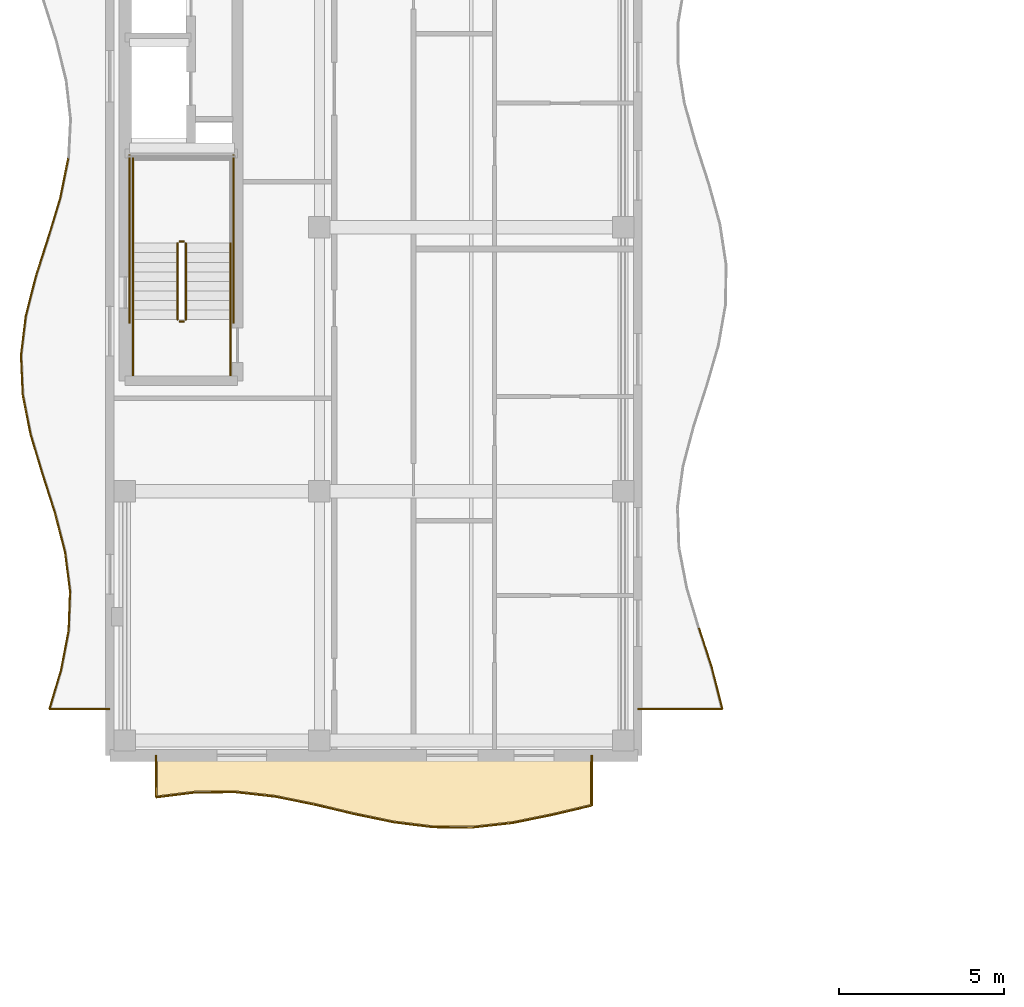
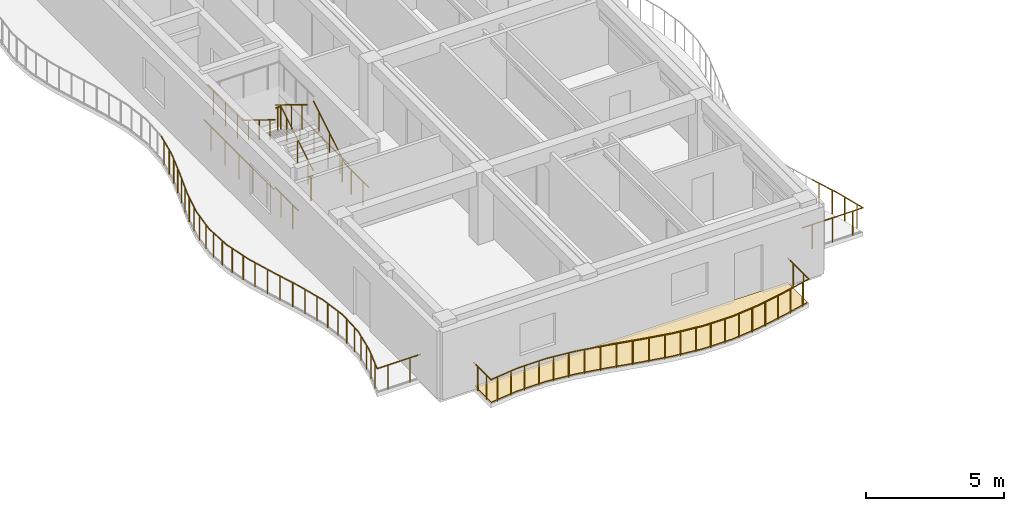
# One storey, part 65 of 89: 42 railings, 1 covering.
"""IFC4 building model written with IfcOpenShell, lengths in metres."""

from ifc_helpers import new_model, si_unit, direction, frame, origin, origin_2d, place, context, subcontext, project, spatial, polyline, circle, outline, extrude, material, layer, layer_set, type_object, element, save


model = new_model("IFC4")

# Units and contexts
model_context = context("Model", 3, precision=1e-05, world=origin(), true_north=direction((0.0, 1.0)))
body_context = subcontext(model_context, "Body", "Model", "MODEL_VIEW")
ifc_project = project(units=[si_unit("LENGTHUNIT", "METRE"), si_unit("AREAUNIT", "SQUARE_METRE"), si_unit("VOLUMEUNIT", "CUBIC_METRE"), si_unit("PLANEANGLEUNIT", "RADIAN"), si_unit("MASSUNIT", "GRAM", prefix="KILO")], contexts=[model_context])

# Site, building, storey
site_placement = place(None, origin())
site = spatial("IfcSite", under=ifc_project, at=site_placement, CompositionType="ELEMENT")
building_placement = place(site_placement, origin())
building = spatial("IfcBuilding", under=site, at=building_placement, Name="Keldmere Railside Commons", CompositionType="ELEMENT")
storey_placement = place(building_placement, frame((0.0, 0.0, 7.360107421875)))
storey = spatial("IfcBuildingStorey", under=building, at=storey_placement, Name="L02", CompositionType="ELEMENT", Elevation=7.360107421875)

# Railings
ifc_material_1 = material(Name="Steel F-24 (S235)", Category="steel")
railing_type_1 = type_object("IfcRailingType", Name="Balcony & Terrace Steel Balustrade 1100", PredefinedType="BALUSTRADE", material=ifc_material_1)
railing_1_placement = place(storey_placement, frame((24.0, 57.39990234375, 0.0)))
element("IfcRailing", 1, at=railing_1_placement, inside=storey, type_object=railing_type_1, Name="GR-1 GRD-L02-0153", PredefinedType="BALUSTRADE", context=body_context, shape_type="SweptSolid", body=[
    extrude(circle(Radius=0.02392578125, at=origin_2d()), frame((0.0, 0.0, 1.076171875), z_axis=(1.0, 0.0, 0.0), x_axis=(0.0, 1.0, 0.0)), (0.0, 0.0, 1.0), 2.556396484375),
    extrude(circle(Radius=0.02099609375, at=origin_2d()), frame((0.426025390625, 0.0, 0.0)), (0.0, 0.0, 1.0), 1.048095703125),
    extrude(circle(Radius=0.02099609375, at=origin_2d()), frame((1.2783203125, 0.0, 0.0)), (0.0, 0.0, 1.0), 1.048095703125),
    extrude(circle(Radius=0.02099609375, at=origin_2d()), frame((2.13037109375, 0.0, 0.0)), (0.0, 0.0, 1.0), 1.048095703125),
])
railing_2_placement = place(storey_placement, frame((26.556396484375, 57.39990234375, 0.0)))
element("IfcRailing", 2, at=railing_2_placement, inside=storey, type_object=railing_type_1, Name="GR-1 GRD-L02-0154", PredefinedType="BALUSTRADE", context=body_context, shape_type="SweptSolid", body=[
    extrude(circle(Radius=0.02392578125, at=origin_2d()), frame((0.0, 0.0, 1.076171875), z_axis=(-0.244808120683, 0.969571546637, 0.0), x_axis=(-0.969571546637, -0.244808120683, 0.0)), (0.0, 0.0, 1.0), 1.263427734375),
    extrude(circle(Radius=0.02099609375, at=origin_2d()), frame((-0.077392578125, 0.30615234375, 0.0)), (0.0, 0.0, 1.0), 1.048095703125),
    extrude(circle(Radius=0.02099609375, at=origin_2d()), frame((-0.23193359375, 0.9189453125, 0.0)), (0.0, 0.0, 1.0), 1.048095703125),
])
railing_3_placement = place(storey_placement, frame((26.2470703125, 58.625, 0.0)))
element("IfcRailing", 3, at=railing_3_placement, inside=storey, type_object=railing_type_1, Name="GR-1 GRD-L02-0155", PredefinedType="BALUSTRADE", context=body_context, shape_type="SweptSolid", body=[
    extrude(circle(Radius=0.02392578125, at=origin_2d()), frame((0.0, 0.0, 1.076171875), z_axis=(-0.304989196432, 0.95235581064, 0.0), x_axis=(-0.95235581064, -0.304989196432, 0.0)), (0.0, 0.0, 1.0), 1.286376953125),
    extrude(circle(Radius=0.02099609375, at=origin_2d()), frame((-0.09814453125, 0.30615234375, 0.0)), (0.0, 0.0, 1.0), 1.048095703125),
    extrude(circle(Radius=0.02099609375, at=origin_2d()), frame((-0.294189453125, 0.9189453125, 0.0)), (0.0, 0.0, 1.0), 1.048095703125),
])
railing_4_placement = place(storey_placement, frame((8.0, 57.39990234375, 0.0)))
element("IfcRailing", 4, at=railing_4_placement, inside=storey, type_object=railing_type_1, Name="GR-1 GRD-L02-0179", PredefinedType="BALUSTRADE", context=body_context, shape_type="SweptSolid", body=[
    extrude(circle(Radius=0.02392578125, at=origin_2d()), frame((0.0, 0.0, 1.076171875), z_axis=(-1.0, 0.0, 0.0), x_axis=(0.0, -1.0, 0.0)), (0.0, 0.0, 1.0), 1.831787109375),
    extrude(circle(Radius=0.02099609375, at=origin_2d()), frame((-0.4580078125, 0.0, 0.0)), (0.0, 0.0, 1.0), 1.048095703125),
    extrude(circle(Radius=0.02099609375, at=origin_2d()), frame((-1.373779296875, 0.0, 0.0)), (0.0, 0.0, 1.0), 1.048095703125),
])
railing_5_placement = place(storey_placement, frame((6.168212890625, 57.39990234375, 0.0)))
element("IfcRailing", 5, at=railing_5_placement, inside=storey, type_object=railing_type_1, Name="GR-1 GRD-L02-0180", PredefinedType="BALUSTRADE", context=body_context, shape_type="SweptSolid", body=[
    extrude(circle(Radius=0.02392578125, at=origin_2d()), frame((0.0, 0.0, 1.076171875), z_axis=(0.283633529769, 0.958932750922, 0.0), x_axis=(-0.958932750922, 0.283633529769, 0.0)), (0.0, 0.0, 1.0), 1.242919921875),
    extrude(circle(Radius=0.02099609375, at=origin_2d()), frame((0.088134765625, 0.2978515625, 0.0)), (0.0, 0.0, 1.0), 1.048095703125),
    extrude(circle(Radius=0.02099609375, at=origin_2d()), frame((0.264404296875, 0.89404296875, 0.0)), (0.0, 0.0, 1.0), 1.048095703125),
])
railing_6_placement = place(storey_placement, frame((6.520751953125, 58.591796875, 0.0)))
element("IfcRailing", 6, at=railing_6_placement, inside=storey, type_object=railing_type_1, Name="GR-1 GRD-L02-0181", PredefinedType="BALUSTRADE", context=body_context, shape_type="SweptSolid", body=[
    extrude(circle(Radius=0.02392578125, at=origin_2d()), frame((0.0, 0.0, 1.076171875), z_axis=(0.187787229387, 0.982209731411, 0.0), x_axis=(-0.982209731411, 0.187787229387, 0.0)), (0.0, 0.0, 1.0), 1.212890625),
    extrude(circle(Radius=0.02099609375, at=origin_2d()), frame((0.056884765625, 0.2978515625, 0.0)), (0.0, 0.0, 1.0), 1.048095703125),
    extrude(circle(Radius=0.02099609375, at=origin_2d()), frame((0.1708984375, 0.8935546875, 0.0)), (0.0, 0.0, 1.0), 1.048095703125),
])
railing_7_placement = place(storey_placement, frame((6.74853515625, 59.783203125, 0.0)))
element("IfcRailing", 7, at=railing_7_placement, inside=storey, type_object=railing_type_1, Name="GR-1 GRD-L02-0182", PredefinedType="BALUSTRADE", context=body_context, shape_type="SweptSolid", body=[
    extrude(circle(Radius=0.02392578125, at=origin_2d()), frame((0.0, 0.0, 1.076171875), z_axis=(0.036436256511, 0.999335979144, 0.0), x_axis=(-0.999335979144, 0.036436256511, 0.0)), (0.0, 0.0, 1.0), 1.192626953125),
    extrude(circle(Radius=0.02099609375, at=origin_2d()), frame((0.0107421875, 0.2978515625, 0.0)), (0.0, 0.0, 1.0), 1.048095703125),
    extrude(circle(Radius=0.02099609375, at=origin_2d()), frame((0.03271484375, 0.89404296875, 0.0)), (0.0, 0.0, 1.0), 1.048095703125),
])
railing_8_placement = place(storey_placement, frame((6.7919921875, 60.97509765625, 0.0)))
element("IfcRailing", 8, at=railing_8_placement, inside=storey, type_object=railing_type_1, Name="GR-1 GRD-L02-0183", PredefinedType="BALUSTRADE", context=body_context, shape_type="SweptSolid", body=[
    extrude(circle(Radius=0.02392578125, at=origin_2d()), frame((0.0, 0.0, 1.076171875), z_axis=(-0.12741036786, 0.991850088553, 0.0), x_axis=(-0.991850088553, -0.12741036786, 0.0)), (0.0, 0.0, 1.0), 1.201416015625),
    extrude(circle(Radius=0.02099609375, at=origin_2d()), frame((-0.038330078125, 0.2978515625, 0.0)), (0.0, 0.0, 1.0), 1.048095703125),
    extrude(circle(Radius=0.02099609375, at=origin_2d()), frame((-0.11474609375, 0.893798828125, 0.0)), (0.0, 0.0, 1.0), 1.048095703125),
])
railing_9_placement = place(storey_placement, frame((6.638916015625, 62.166748046875, 0.0)))
element("IfcRailing", 9, at=railing_9_placement, inside=storey, type_object=railing_type_1, Name="GR-1 GRD-L02-0184", PredefinedType="BALUSTRADE", context=body_context, shape_type="SweptSolid", body=[
    extrude(circle(Radius=0.02392578125, at=origin_2d()), frame((0.0, 0.0, 1.076171875), z_axis=(-0.250507827676, 0.968114573939, 0.0), x_axis=(-0.968114573939, -0.250507827676, 0.0)), (0.0, 0.0, 1.0), 1.23095703125),
    extrude(circle(Radius=0.02099609375, at=origin_2d()), frame((-0.0771484375, 0.2978515625, 0.0)), (0.0, 0.0, 1.0), 1.048095703125),
    extrude(circle(Radius=0.02099609375, at=origin_2d()), frame((-0.231201171875, 0.893798828125, 0.0)), (0.0, 0.0, 1.0), 1.048095703125),
])
railing_10_placement = place(storey_placement, frame((6.33056640625, 63.3583984375, 0.0)))
element("IfcRailing", 10, at=railing_10_placement, inside=storey, type_object=railing_type_1, Name="GR-1 GRD-L02-0185", PredefinedType="BALUSTRADE", context=body_context, shape_type="SweptSolid", body=[
    extrude(circle(Radius=0.02392578125, at=origin_2d()), frame((0.0, 0.0, 1.076171875), z_axis=(-0.305674498271, 0.952136072789, 0.0), x_axis=(-0.952136072789, -0.305674498271, 0.0)), (0.0, 0.0, 1.0), 1.25146484375),
    extrude(circle(Radius=0.02099609375, at=origin_2d()), frame((-0.095703125, 0.2978515625, 0.0)), (0.0, 0.0, 1.0), 1.048095703125),
    extrude(circle(Radius=0.02099609375, at=origin_2d()), frame((-0.286865234375, 0.893798828125, 0.0)), (0.0, 0.0, 1.0), 1.048095703125),
])
railing_11_placement = place(storey_placement, frame((5.947998046875, 64.550048828125, 0.0)))
element("IfcRailing", 11, at=railing_11_placement, inside=storey, type_object=railing_type_1, Name="GR-1 GRD-L02-0186", PredefinedType="BALUSTRADE", context=body_context, shape_type="SweptSolid", body=[
    extrude(circle(Radius=0.02392578125, at=origin_2d()), frame((0.0, 0.0, 1.076171875), z_axis=(-0.286032836023, 0.958219816491, 0.0), x_axis=(-0.958219816491, -0.286032836023, 0.0)), (0.0, 0.0, 1.0), 1.24365234375),
    extrude(circle(Radius=0.02099609375, at=origin_2d()), frame((-0.0888671875, 0.2978515625, 0.0)), (0.0, 0.0, 1.0), 1.048095703125),
    extrude(circle(Radius=0.02099609375, at=origin_2d()), frame((-0.266845703125, 0.893798828125, 0.0)), (0.0, 0.0, 1.0), 1.048095703125),
])
railing_12_placement = place(storey_placement, frame((5.59228515625, 65.74169921875, 0.0)))
element("IfcRailing", 12, at=railing_12_placement, inside=storey, type_object=railing_type_1, Name="GR-1 GRD-L02-0187", PredefinedType="BALUSTRADE", context=body_context, shape_type="SweptSolid", body=[
    extrude(circle(Radius=0.02392578125, at=origin_2d()), frame((0.0, 0.0, 1.076171875), z_axis=(-0.193370818722, 0.981125744473, 0.0), x_axis=(-0.981125744473, -0.193370818722, 0.0)), (0.0, 0.0, 1.0), 1.214599609375),
    extrude(circle(Radius=0.02099609375, at=origin_2d()), frame((-0.05859375, 0.2978515625, 0.0)), (0.0, 0.0, 1.0), 1.048095703125),
    extrude(circle(Radius=0.02099609375, at=origin_2d()), frame((-0.17626953125, 0.893798828125, 0.0)), (0.0, 0.0, 1.0), 1.048095703125),
])
railing_13_placement = place(storey_placement, frame((5.357421875, 66.933349609375, 0.0)))
element("IfcRailing", 13, at=railing_13_placement, inside=storey, type_object=railing_type_1, Name="GR-1 GRD-L02-0188", PredefinedType="BALUSTRADE", context=body_context, shape_type="SweptSolid", body=[
    extrude(circle(Radius=0.02392578125, at=origin_2d()), frame((0.0, 0.0, 1.076171875), z_axis=(-0.043188511481, 0.999066940938, 0.0), x_axis=(-0.999066940938, -0.043188511481, 0.0)), (0.0, 0.0, 1.0), 1.19287109375),
    extrude(circle(Radius=0.02099609375, at=origin_2d()), frame((-0.012939453125, 0.2978515625, 0.0)), (0.0, 0.0, 1.0), 1.048095703125),
    extrude(circle(Radius=0.02099609375, at=origin_2d()), frame((-0.03857421875, 0.893798828125, 0.0)), (0.0, 0.0, 1.0), 1.048095703125),
])
railing_14_placement = place(storey_placement, frame((5.305908203125, 68.125, 0.0)))
element("IfcRailing", 14, at=railing_14_placement, inside=storey, type_object=railing_type_1, Name="GR-1 GRD-L02-0189", PredefinedType="BALUSTRADE", context=body_context, shape_type="SweptSolid", body=[
    extrude(circle(Radius=0.02392578125, at=origin_2d()), frame((0.0, 0.0, 1.076171875), z_axis=(0.120805099305, 0.992676245299, 0.0), x_axis=(-0.992676245299, 0.120805099305, 0.0)), (0.0, 0.0, 1.0), 1.200439453125),
    extrude(circle(Radius=0.02099609375, at=origin_2d()), frame((0.0361328125, 0.2978515625, 0.0)), (0.0, 0.0, 1.0), 1.048095703125),
    extrude(circle(Radius=0.02099609375, at=origin_2d()), frame((0.10888671875, 0.893798828125, 0.0)), (0.0, 0.0, 1.0), 1.048095703125),
])
railing_15_placement = place(storey_placement, frame((5.450927734375, 69.316650390625, 0.0)))
element("IfcRailing", 15, at=railing_15_placement, inside=storey, type_object=railing_type_1, Name="GR-1 GRD-L02-0190", PredefinedType="BALUSTRADE", context=body_context, shape_type="SweptSolid", body=[
    extrude(circle(Radius=0.02392578125, at=origin_2d()), frame((0.0, 0.0, 1.076171875), z_axis=(0.246784373732, 0.969070416885, 0.0), x_axis=(-0.969070416885, 0.246784373732, 0.0)), (0.0, 0.0, 1.0), 1.229736328125),
    extrude(circle(Radius=0.02099609375, at=origin_2d()), frame((0.075927734375, 0.2978515625, 0.0)), (0.0, 0.0, 1.0), 1.048095703125),
    extrude(circle(Radius=0.02099609375, at=origin_2d()), frame((0.2275390625, 0.893798828125, 0.0)), (0.0, 0.0, 1.0), 1.048095703125),
])
railing_16_placement = place(storey_placement, frame((5.75439453125, 70.50830078125, 0.0)))
element("IfcRailing", 16, at=railing_16_placement, inside=storey, type_object=railing_type_1, Name="GR-1 GRD-L02-0191", PredefinedType="BALUSTRADE", context=body_context, shape_type="SweptSolid", body=[
    extrude(circle(Radius=0.02392578125, at=origin_2d()), frame((0.0, 0.0, 1.076171875), z_axis=(0.304966872698, 0.952362959463, 0.0), x_axis=(-0.952362959463, 0.304966872698, 0.0)), (0.0, 0.0, 1.0), 1.251220703125),
    extrude(circle(Radius=0.02099609375, at=origin_2d()), frame((0.095458984375, 0.2978515625, 0.0)), (0.0, 0.0, 1.0), 1.048095703125),
    extrude(circle(Radius=0.02099609375, at=origin_2d()), frame((0.2861328125, 0.893798828125, 0.0)), (0.0, 0.0, 1.0), 1.048095703125),
])
railing_17_placement = place(storey_placement, frame((6.135986328125, 71.699951171875, 0.0)))
element("IfcRailing", 17, at=railing_17_placement, inside=storey, type_object=railing_type_1, Name="GR-1 GRD-L02-0192", PredefinedType="BALUSTRADE", context=body_context, shape_type="SweptSolid", body=[
    extrude(circle(Radius=0.02392578125, at=origin_2d()), frame((0.0, 0.0, 1.076171875), z_axis=(0.288193702769, 0.957572132888, 0.0), x_axis=(-0.957572132888, 0.288193702769, 0.0)), (0.0, 0.0, 1.0), 1.244384765625),
    extrude(circle(Radius=0.02099609375, at=origin_2d()), frame((0.089599609375, 0.2978515625, 0.0)), (0.0, 0.0, 1.0), 1.048095703125),
    extrude(circle(Radius=0.02099609375, at=origin_2d()), frame((0.26904296875, 0.893798828125, 0.0)), (0.0, 0.0, 1.0), 1.048095703125),
])
railing_18_placement = place(storey_placement, frame((6.49462890625, 72.8916015625, 0.0)))
element("IfcRailing", 18, at=railing_18_placement, inside=storey, type_object=railing_type_1, Name="GR-1 GRD-L02-0193", PredefinedType="BALUSTRADE", context=body_context, shape_type="SweptSolid", body=[
    extrude(circle(Radius=0.02392578125, at=origin_2d()), frame((0.0, 0.0, 1.076171875), z_axis=(0.198586842685, 0.980083295395, 0.0), x_axis=(-0.980083295395, 0.198586842685, 0.0)), (0.0, 0.0, 1.0), 1.2158203125),
    extrude(circle(Radius=0.02099609375, at=origin_2d()), frame((0.060302734375, 0.2978515625, 0.0)), (0.0, 0.0, 1.0), 1.048095703125),
    extrude(circle(Radius=0.02099609375, at=origin_2d()), frame((0.18115234375, 0.893798828125, 0.0)), (0.0, 0.0, 1.0), 1.048095703125),
])
railing_19_placement = place(storey_placement, frame((9.39990234375, 56.0, 0.0)))
element("IfcRailing", 19, at=railing_19_placement, inside=storey, type_object=railing_type_1, Name="GR-1 GRD-L02-0242", PredefinedType="BALUSTRADE", context=body_context, shape_type="SweptSolid", body=[
    extrude(circle(Radius=0.02392578125, at=origin_2d()), frame((0.0, 0.0, 1.076171875), z_axis=(0.0, -1.0, 0.0), x_axis=(1.0, 0.0, 0.0)), (0.0, 0.0, 1.0), 1.271728515625),
    extrude(circle(Radius=0.02099609375, at=origin_2d()), frame((0.0, -0.31787109375, 0.0)), (0.0, 0.0, 1.0), 1.048095703125),
    extrude(circle(Radius=0.02099609375, at=origin_2d()), frame((0.0, -0.953857421875, 0.0)), (0.0, 0.0, 1.0), 1.048095703125),
])
railing_20_placement = place(storey_placement, frame((9.39990234375, 54.728271484375, 0.0)))
element("IfcRailing", 20, at=railing_20_placement, inside=storey, type_object=railing_type_1, Name="GR-1 GRD-L02-0243", PredefinedType="BALUSTRADE", context=body_context, shape_type="SweptSolid", body=[
    extrude(circle(Radius=0.02392578125, at=origin_2d()), frame((0.0, 0.0, 1.076171875), z_axis=(0.992389278105, 0.123140248097, 0.0), x_axis=(-0.123140248097, 0.992389278105, 0.0)), (0.0, 0.0, 1.0), 1.20947265625),
    extrude(circle(Radius=0.02099609375, at=origin_2d()), frame((0.300048828125, 0.037109375, 0.0)), (0.0, 0.0, 1.0), 1.048095703125),
    extrude(circle(Radius=0.02099609375, at=origin_2d()), frame((0.900146484375, 0.11181640625, 0.0)), (0.0, 0.0, 1.0), 1.048095703125),
])
railing_21_placement = place(storey_placement, frame((10.60009765625, 54.877197265625, 0.0)))
element("IfcRailing", 21, at=railing_21_placement, inside=storey, type_object=railing_type_1, Name="GR-1 GRD-L02-0244", PredefinedType="BALUSTRADE", context=body_context, shape_type="SweptSolid", body=[
    extrude(circle(Radius=0.02392578125, at=origin_2d()), frame((0.0, 0.0, 1.076171875), z_axis=(0.999978806186, 0.006510543601, 0.0), x_axis=(-0.006510543601, 0.999978806186, 0.0)), (0.0, 0.0, 1.0), 1.199951171875),
    extrude(circle(Radius=0.02099609375, at=origin_2d()), frame((0.300048828125, 0.001953125, 0.0)), (0.0, 0.0, 1.0), 1.048095703125),
    extrude(circle(Radius=0.02099609375, at=origin_2d()), frame((0.89990234375, 0.005859375, 0.0)), (0.0, 0.0, 1.0), 1.048095703125),
])
railing_22_placement = place(storey_placement, frame((11.800048828125, 54.885009765625, 0.0)))
element("IfcRailing", 22, at=railing_22_placement, inside=storey, type_object=railing_type_1, Name="GR-1 GRD-L02-0245", PredefinedType="BALUSTRADE", context=body_context, shape_type="SweptSolid", body=[
    extrude(circle(Radius=0.02392578125, at=origin_2d()), frame((0.0, 0.0, 1.076171875), z_axis=(0.99366234495, -0.112406157435, 0.0), x_axis=(0.112406157435, 0.99366234495, 0.0)), (0.0, 0.0, 1.0), 1.20751953125),
    extrude(circle(Radius=0.02099609375, at=origin_2d()), frame((0.300048828125, -0.033935546875, 0.0)), (0.0, 0.0, 1.0), 1.048095703125),
    extrude(circle(Radius=0.02099609375, at=origin_2d()), frame((0.89990234375, -0.101806640625, 0.0)), (0.0, 0.0, 1.0), 1.048095703125),
])
railing_23_placement = place(storey_placement, frame((13.0, 54.749267578125, 0.0)))
element("IfcRailing", 23, at=railing_23_placement, inside=storey, type_object=railing_type_1, Name="GR-1 GRD-L02-0246", PredefinedType="BALUSTRADE", context=body_context, shape_type="SweptSolid", body=[
    extrude(circle(Radius=0.02392578125, at=origin_2d()), frame((0.0, 0.0, 1.076171875), z_axis=(0.980156554012, -0.198224947037, 0.0), x_axis=(0.198224947037, 0.980156554012, 0.0)), (0.0, 0.0, 1.0), 1.224365234375),
    extrude(circle(Radius=0.02099609375, at=origin_2d()), frame((0.300048828125, -0.060546875, 0.0)), (0.0, 0.0, 1.0), 1.048095703125),
    extrude(circle(Radius=0.02099609375, at=origin_2d()), frame((0.89990234375, -0.18212890625, 0.0)), (0.0, 0.0, 1.0), 1.048095703125),
])
railing_24_placement = place(storey_placement, frame((14.199951171875, 54.506591796875, 0.0)))
element("IfcRailing", 24, at=railing_24_placement, inside=storey, type_object=railing_type_1, Name="GR-1 GRD-L02-0247", PredefinedType="BALUSTRADE", context=body_context, shape_type="SweptSolid", body=[
    extrude(circle(Radius=0.02392578125, at=origin_2d()), frame((0.0, 0.0, 1.076171875), z_axis=(0.97299493391, -0.230826468553, 0.0), x_axis=(0.230826468553, 0.97299493391, 0.0)), (0.0, 0.0, 1.0), 1.233154296875),
    extrude(circle(Radius=0.02099609375, at=origin_2d()), frame((0.300048828125, -0.0712890625, 0.0)), (0.0, 0.0, 1.0), 1.048095703125),
    extrude(circle(Radius=0.02099609375, at=origin_2d()), frame((0.89990234375, -0.21337890625, 0.0)), (0.0, 0.0, 1.0), 1.048095703125),
])
railing_25_placement = place(storey_placement, frame((15.39990234375, 54.221923828125, 0.0)))
element("IfcRailing", 25, at=railing_25_placement, inside=storey, type_object=railing_type_1, Name="GR-1 GRD-L02-0248", PredefinedType="BALUSTRADE", context=body_context, shape_type="SweptSolid", body=[
    extrude(circle(Radius=0.02392578125, at=origin_2d()), frame((0.0, 0.0, 1.076171875), z_axis=(0.978947272888, -0.204113294286, 0.0), x_axis=(0.204113294286, 0.978947272888, 0.0)), (0.0, 0.0, 1.0), 1.22607421875),
    extrude(circle(Radius=0.02099609375, at=origin_2d()), frame((0.300048828125, -0.0625, 0.0)), (0.0, 0.0, 1.0), 1.048095703125),
    extrude(circle(Radius=0.02099609375, at=origin_2d()), frame((0.900146484375, -0.187744140625, 0.0)), (0.0, 0.0, 1.0), 1.048095703125),
])
railing_26_placement = place(storey_placement, frame((16.60009765625, 53.9716796875, 0.0)))
element("IfcRailing", 26, at=railing_26_placement, inside=storey, type_object=railing_type_1, Name="GR-1 GRD-L02-0249", PredefinedType="BALUSTRADE", context=body_context, shape_type="SweptSolid", body=[
    extrude(circle(Radius=0.02392578125, at=origin_2d()), frame((0.0, 0.0, 1.076171875), z_axis=(0.992386216137, -0.123164922043, 0.0), x_axis=(0.123164922043, 0.992386216137, 0.0)), (0.0, 0.0, 1.0), 1.209228515625),
    extrude(circle(Radius=0.02099609375, at=origin_2d()), frame((0.300048828125, -0.037109375, 0.0)), (0.0, 0.0, 1.0), 1.048095703125),
    extrude(circle(Radius=0.02099609375, at=origin_2d()), frame((0.89990234375, -0.11181640625, 0.0)), (0.0, 0.0, 1.0), 1.048095703125),
])
railing_27_placement = place(storey_placement, frame((17.800048828125, 53.82275390625, 0.0)))
element("IfcRailing", 27, at=railing_27_placement, inside=storey, type_object=railing_type_1, Name="GR-1 GRD-L02-0250", PredefinedType="BALUSTRADE", context=body_context, shape_type="SweptSolid", body=[
    extrude(circle(Radius=0.02392578125, at=origin_2d()), frame((0.0, 0.0, 1.076171875), z_axis=(0.999980110064, -0.006307097337, 0.0), x_axis=(0.006307097337, 0.999980110064, 0.0)), (0.0, 0.0, 1.0), 1.199951171875),
    extrude(circle(Radius=0.02099609375, at=origin_2d()), frame((0.300048828125, -0.001953125, 0.0)), (0.0, 0.0, 1.0), 1.048095703125),
    extrude(circle(Radius=0.02099609375, at=origin_2d()), frame((0.89990234375, -0.005615234375, 0.0)), (0.0, 0.0, 1.0), 1.048095703125),
])
railing_28_placement = place(storey_placement, frame((19.0, 53.815185546875, 0.0)))
element("IfcRailing", 28, at=railing_28_placement, inside=storey, type_object=railing_type_1, Name="GR-1 GRD-L02-0251", PredefinedType="BALUSTRADE", context=body_context, shape_type="SweptSolid", body=[
    extrude(circle(Radius=0.02392578125, at=origin_2d()), frame((0.0, 0.0, 1.076171875), z_axis=(0.993684906467, 0.112206535725, 0.0), x_axis=(-0.112206535725, 0.993684906467, 0.0)), (0.0, 0.0, 1.0), 1.20751953125),
    extrude(circle(Radius=0.02099609375, at=origin_2d()), frame((0.300048828125, 0.033935546875, 0.0)), (0.0, 0.0, 1.0), 1.048095703125),
    extrude(circle(Radius=0.02099609375, at=origin_2d()), frame((0.89990234375, 0.1015625, 0.0)), (0.0, 0.0, 1.0), 1.048095703125),
])
railing_29_placement = place(storey_placement, frame((20.199951171875, 53.95068359375, 0.0)))
element("IfcRailing", 29, at=railing_29_placement, inside=storey, type_object=railing_type_1, Name="GR-1 GRD-L02-0252", PredefinedType="BALUSTRADE", context=body_context, shape_type="SweptSolid", body=[
    extrude(circle(Radius=0.02392578125, at=origin_2d()), frame((0.0, 0.0, 1.076171875), z_axis=(0.980156554012, 0.198224947037, 0.0), x_axis=(-0.198224947037, 0.980156554012, 0.0)), (0.0, 0.0, 1.0), 1.224365234375),
    extrude(circle(Radius=0.02099609375, at=origin_2d()), frame((0.300048828125, 0.060546875, 0.0)), (0.0, 0.0, 1.0), 1.048095703125),
    extrude(circle(Radius=0.02099609375, at=origin_2d()), frame((0.89990234375, 0.18212890625, 0.0)), (0.0, 0.0, 1.0), 1.048095703125),
])
railing_30_placement = place(storey_placement, frame((21.39990234375, 54.193359375, 0.0)))
element("IfcRailing", 30, at=railing_30_placement, inside=storey, type_object=railing_type_1, Name="GR-1 GRD-L02-0253", PredefinedType="BALUSTRADE", context=body_context, shape_type="SweptSolid", body=[
    extrude(circle(Radius=0.02392578125, at=origin_2d()), frame((0.0, 0.0, 1.076171875), z_axis=(0.973005478576, 0.230782015464, 0.0), x_axis=(-0.230782015464, 0.973005478576, 0.0)), (0.0, 0.0, 1.0), 1.2333984375),
    extrude(circle(Radius=0.02099609375, at=origin_2d()), frame((0.300048828125, 0.0712890625, 0.0)), (0.0, 0.0, 1.0), 1.048095703125),
    extrude(circle(Radius=0.02099609375, at=origin_2d()), frame((0.900146484375, 0.21337890625, 0.0)), (0.0, 0.0, 1.0), 1.048095703125),
])
railing_31_placement = place(storey_placement, frame((22.60009765625, 54.47802734375, 0.0)))
element("IfcRailing", 31, at=railing_31_placement, inside=storey, type_object=railing_type_1, Name="GR-1 GRD-L02-0254", PredefinedType="BALUSTRADE", context=body_context, shape_type="SweptSolid", body=[
    extrude(circle(Radius=0.02392578125, at=origin_2d()), frame((0.0, 0.0, 1.076171875), z_axis=(0.0, 1.0, 0.0), x_axis=(-1.0, 0.0, 0.0)), (0.0, 0.0, 1.0), 1.52197265625),
    extrude(circle(Radius=0.02099609375, at=origin_2d()), frame((0.0, 0.38037109375, 0.0)), (0.0, 0.0, 1.0), 1.048095703125),
    extrude(circle(Radius=0.02099609375, at=origin_2d()), frame((0.0, 1.1416015625, 0.0)), (0.0, 0.0, 1.0), 1.048095703125),
])
railing_type_2 = type_object("IfcRailingType", Name="Stair Well Steel Guardrail 1100", PredefinedType="BALUSTRADE", material=ifc_material_1)
railing_32_placement = place(storey_placement, frame((10.300048828125, 69.199951171875, 0.177734375)))
element("IfcRailing", 32, at=railing_32_placement, inside=storey, type_object=railing_type_2, Name="L02 ST-D1 stair guard 1", PredefinedType="BALUSTRADE", context=body_context, shape_type="SweptSolid", body=[
    extrude(circle(Radius=0.02392578125, at=origin_2d()), frame((0.0, 0.0, 1.076171875), z_axis=(0.0, 0.852578041948, 0.522599925744), x_axis=(-1.0, 0.0, 0.0)), (0.0, 0.0, 1.0), 2.72119140625),
    extrude(circle(Radius=0.02099609375, at=origin_2d()), frame((0.0, 0.38671875, 0.237060546875)), (0.0, 0.0, 1.0), 1.048095703125),
    extrude(circle(Radius=0.02099609375, at=origin_2d()), frame((0.0, 1.16015625, 0.7109375)), (0.0, 0.0, 1.0), 1.048095703125),
    extrude(circle(Radius=0.02099609375, at=origin_2d()), frame((0.0, 1.933349609375, 1.18505859375)), (0.0, 0.0, 1.0), 1.048095703125),
])
railing_33_placement = place(storey_placement, frame((10.25, 71.570068359375, 1.599853515625)))
element("IfcRailing", 33, at=railing_33_placement, inside=storey, type_object=railing_type_2, Name="L02 ST-D1 stair guard 2", PredefinedType="BALUSTRADE", context=body_context, shape_type="SweptSolid", body=[
    extrude(circle(Radius=0.02392578125, at=origin_2d()), frame((0.0, 0.0, 1.076171875), z_axis=(-1.0, 0.0, 0.0), x_axis=(0.0, -1.0, 0.0)), (0.0, 0.0, 1.0), 0.14990234375),
    extrude(circle(Radius=0.02099609375, at=origin_2d()), frame((-0.074951171875, 0.0, 0.0)), (0.0, 0.0, 1.0), 1.048095703125),
])
railing_34_placement = place(storey_placement, frame((8.699951171875, 71.52001953125, 1.599853515625)))
element("IfcRailing", 34, at=railing_34_placement, inside=storey, type_object=railing_type_2, Name="L02 ST-D1 stair guard 4", PredefinedType="BALUSTRADE", context=body_context, shape_type="SweptSolid", body=[
    extrude(circle(Radius=0.02392578125, at=origin_2d()), frame((0.0, 0.0, 1.076171875), z_axis=(0.0, 1.0, 0.0), x_axis=(-1.0, 0.0, 0.0)), (0.0, 0.0, 1.0), 2.580078125),
    extrude(circle(Radius=0.02099609375, at=origin_2d()), frame((0.0, 0.429931640625, 0.0)), (0.0, 0.0, 1.0), 1.048095703125),
    extrude(circle(Radius=0.02099609375, at=origin_2d()), frame((0.0, 1.2900390625, 0.0)), (0.0, 0.0, 1.0), 1.048095703125),
    extrude(circle(Radius=0.02099609375, at=origin_2d()), frame((0.0, 2.150146484375, 0.0)), (0.0, 0.0, 1.0), 1.048095703125),
])
railing_35_placement = place(storey_placement, frame((10.050048828125, 71.52001953125, 1.777587890625)))
element("IfcRailing", 35, at=railing_35_placement, inside=storey, type_object=railing_type_2, Name="L02 ST-D1 stair guard 6", PredefinedType="BALUSTRADE", context=body_context, shape_type="SweptSolid", body=[
    extrude(circle(Radius=0.02392578125, at=origin_2d()), frame((0.0, 0.0, 1.076171875), z_axis=(0.0, -0.852538067394, 0.522665135287), x_axis=(1.0, 0.0, 0.0)), (0.0, 0.0, 1.0), 2.721435546875),
    extrude(circle(Radius=0.02099609375, at=origin_2d()), frame((0.0, -0.38671875, 0.237060546875)), (0.0, 0.0, 1.0), 1.048095703125),
    extrude(circle(Radius=0.02099609375, at=origin_2d()), frame((0.0, -1.16015625, 0.711181640625)), (0.0, 0.0, 1.0), 1.048095703125),
    extrude(circle(Radius=0.02099609375, at=origin_2d()), frame((0.0, -1.933349609375, 1.185302734375)), (0.0, 0.0, 1.0), 1.048095703125),
])
railing_36_placement = place(storey_placement, frame((10.25, 69.14990234375, 0.0)))
element("IfcRailing", 36, at=railing_36_placement, inside=storey, type_object=railing_type_2, Name="L02 ST-D1 stair guard 7", PredefinedType="BALUSTRADE", context=body_context, shape_type="SweptSolid", body=[
    extrude(circle(Radius=0.02392578125, at=origin_2d()), frame((0.0, 0.0, 1.076171875), z_axis=(-1.0, 0.0, 0.0), x_axis=(0.0, -1.0, 0.0)), (0.0, 0.0, 1.0), 0.14990234375),
    extrude(circle(Radius=0.02099609375, at=origin_2d()), frame((-0.074951171875, 0.0, 0.0)), (0.0, 0.0, 1.0), 1.048095703125),
])
for number, where, name in (
    (37, (11.64990234375, 67.5, 0.0), "L02 ST-D1 stair guard 8"),
    (38, (8.699951171875, 67.5, 0.0), "L02 ST-D1 stair guard 9"),
):
    element("IfcRailing", number, at=place(storey_placement, frame(where)), inside=storey, type_object=railing_type_2, Name=name, PredefinedType="BALUSTRADE", context=body_context, shape_type="SweptSolid", body=[
        extrude(circle(Radius=0.02392578125, at=origin_2d()), frame((0.0, 0.0, 1.076171875), z_axis=(0.0, 1.0, 0.0), x_axis=(-1.0, 0.0, 0.0)), (0.0, 0.0, 1.0), 1.699951171875),
        extrude(circle(Radius=0.02099609375, at=origin_2d()), frame((0.0, 0.425048828125, 0.0)), (0.0, 0.0, 1.0), 1.048095703125),
        extrude(circle(Radius=0.02099609375, at=origin_2d()), frame((0.0, 1.27490234375, 0.0)), (0.0, 0.0, 1.0), 1.048095703125),
    ])
for number, where, name in (
    (39, (11.75, 69.10009765625, 0.0), "L02 ST-D1 stair guard 10"),
    (40, (8.60009765625, 69.10009765625, 0.0), "L02 ST-D1 stair guard 11"),
):
    element("IfcRailing", number, at=place(storey_placement, frame(where)), inside=storey, type_object=railing_type_2, Name=name, PredefinedType="BALUSTRADE", context=body_context, shape_type="SweptSolid", body=[
        extrude(circle(Radius=0.02392578125, at=origin_2d()), frame((0.0, 0.0, 1.076171875), z_axis=(0.0, 1.0, 0.0), x_axis=(-1.0, 0.0, 0.0)), (0.0, 0.0, 1.0), 5.099853515625),
        extrude(circle(Radius=0.02099609375, at=origin_2d()), frame((0.0, 0.510009765625, 0.0)), (0.0, 0.0, 1.0), 1.048095703125),
        extrude(circle(Radius=0.02099609375, at=origin_2d()), frame((0.0, 1.530029296875, 0.0)), (0.0, 0.0, 1.0), 1.048095703125),
        extrude(circle(Radius=0.02099609375, at=origin_2d()), frame((0.0, 2.5498046875, 0.0)), (0.0, 0.0, 1.0), 1.048095703125),
        extrude(circle(Radius=0.02099609375, at=origin_2d()), frame((0.0, 3.56982421875, 0.0)), (0.0, 0.0, 1.0), 1.048095703125),
        extrude(circle(Radius=0.02099609375, at=origin_2d()), frame((0.0, 4.58984375, 0.0)), (0.0, 0.0, 1.0), 1.048095703125),
    ])
railing_type_3 = type_object("IfcRailingType", Name="Wall-Mounted Tubular Steel Handrail 900", PredefinedType="HANDRAIL", material=ifc_material_1)
railing_37_placement = place(storey_placement, frame((11.64990234375, 69.199951171875, 0.177734375)))
element("IfcRailing", 41, at=railing_37_placement, inside=storey, type_object=railing_type_3, Name="L02 ST-D1 stair handrail 1", PredefinedType="HANDRAIL", context=body_context, shape_type="SweptSolid", body=[
    extrude(circle(Radius=0.02392578125, at=origin_2d()), frame((0.0, 0.0, 0.8759765625), z_axis=(0.0, 0.852578041948, 0.522599925744), x_axis=(-1.0, 0.0, 0.0)), (0.0, 0.0, 1.0), 2.72119140625),
    extrude(circle(Radius=0.02099609375, at=origin_2d()), frame((0.0, 0.38671875, 0.237060546875)), (0.0, 0.0, 1.0), 0.847900390625),
    extrude(circle(Radius=0.02099609375, at=origin_2d()), frame((0.0, 1.16015625, 0.7109375)), (0.0, 0.0, 1.0), 0.847900390625),
    extrude(circle(Radius=0.02099609375, at=origin_2d()), frame((0.0, 1.933349609375, 1.18505859375)), (0.0, 0.0, 1.0), 0.847900390625),
])
railing_38_placement = place(storey_placement, frame((8.699951171875, 71.52001953125, 1.777587890625)))
element("IfcRailing", 42, at=railing_38_placement, inside=storey, type_object=railing_type_3, Name="L02 ST-D1 stair handrail 2", PredefinedType="HANDRAIL", context=body_context, shape_type="SweptSolid", body=[
    extrude(circle(Radius=0.02392578125, at=origin_2d()), frame((0.0, 0.0, 0.8759765625), z_axis=(0.0, -0.852538067394, 0.522665135287), x_axis=(1.0, 0.0, 0.0)), (0.0, 0.0, 1.0), 2.721435546875),
    extrude(circle(Radius=0.02099609375, at=origin_2d()), frame((0.0, -0.38671875, 0.237060546875)), (0.0, 0.0, 1.0), 0.847900390625),
    extrude(circle(Radius=0.02099609375, at=origin_2d()), frame((0.0, -1.16015625, 0.711181640625)), (0.0, 0.0, 1.0), 0.847900390625),
    extrude(circle(Radius=0.02099609375, at=origin_2d()), frame((0.0, -1.933349609375, 1.185302734375)), (0.0, 0.0, 1.0), 0.847900390625),
])

# Covering
ifc_material_2 = material(Name="White Precast Concrete C35/45", Category="concrete")
ifc_layer = layer(ifc_material_2, 0.044921875, Name="White Architectural Balcony Ribbon Cladding 45")
ifc_layer_set = layer_set([ifc_layer], Name="White Precast Concrete C35/45")
covering_type = type_object("IfcCoveringType", Name="White Architectural Balcony Ribbon Cladding 45", PredefinedType="FLOORING", material=ifc_layer_set)
covering_placement = place(storey_placement, origin())
element("IfcCovering", 43, at=covering_placement, inside=storey, type_object=covering_type, Name="CLG-WB D L02 S White Balcony Ribbon", PredefinedType="FLOORING", context=body_context, shape_type="SweptSolid", body=[
    extrude(outline(polyline([(10.59521484375, 54.9169921875), (10.599609375, 54.917236328125), (11.7998046875, 54.9248046875), (11.804443359375, 54.924560546875), (13.00439453125, 54.7890625), (13.0078125, 54.78857421875), (14.2080078125, 54.5458984375), (14.209228515625, 54.54541015625), (15.40869140625, 54.260986328125), (16.606689453125, 54.01123046875), (17.802490234375, 53.86279296875), (18.997802734375, 53.85498046875), (20.19384765625, 53.990234375), (21.391357421875, 54.232421875), (22.56005859375, 54.509521484375), (22.56005859375, 55.9599609375), (9.43994140625, 55.9599609375), (9.43994140625, 54.773681640625), (10.59521484375, 54.9169921875)])), origin(), (0.0, 0.0, 1.0), 0.044921875),
])

save(model, "model.ifc")
